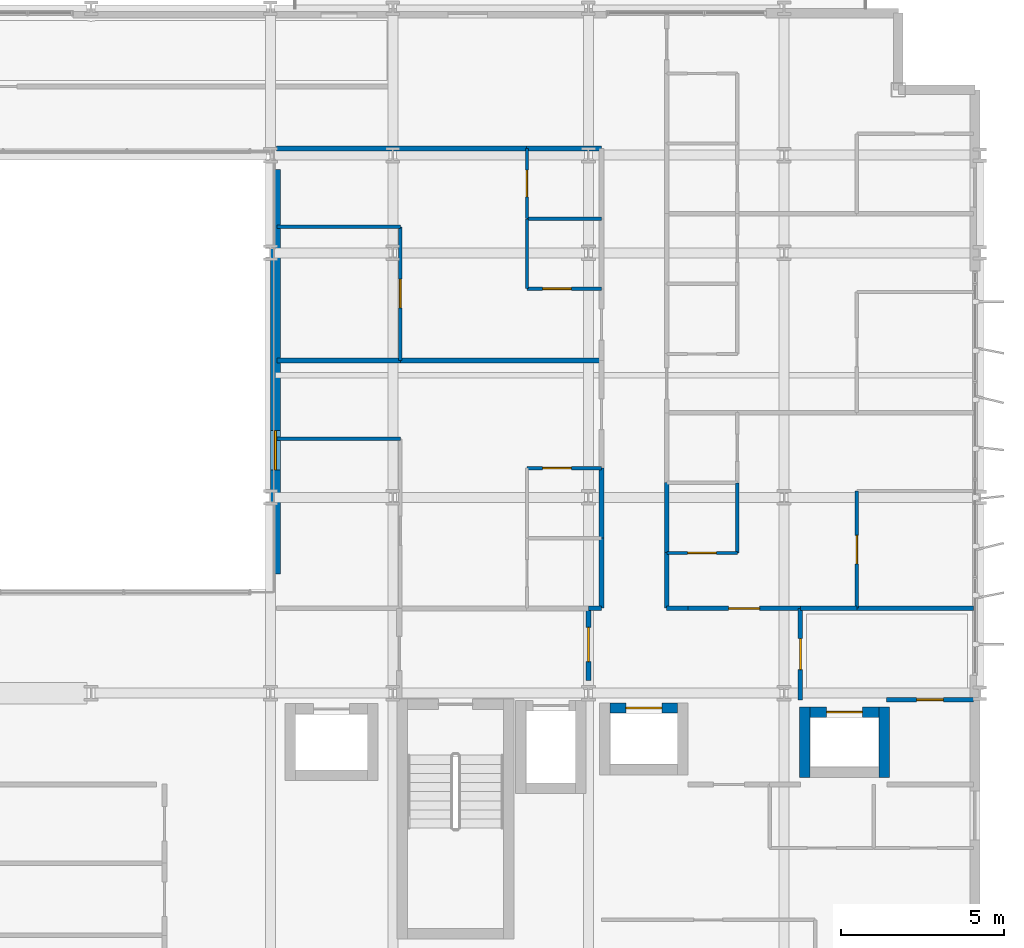
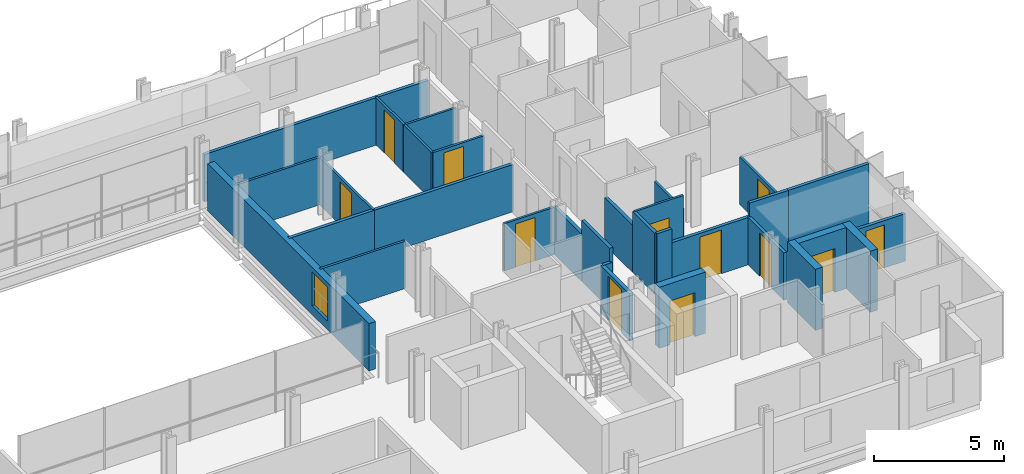
# One storey, part 31 of 39: 32 walls, 12 doors, 1 window, 13 openings.
"""IFC4 building model written with IfcOpenShell, lengths in metres."""

from ifc_helpers import new_model, si_unit, direction, frame, frame_2d, origin, place, context, subcontext, project, spatial, rectangle, extrude, material, layer, layer_set, type_object, element, fill, save


model = new_model("IFC4")

# Units and contexts
model_context = context("Model", 3, precision=1e-05, world=origin(), true_north=direction((0.0, 1.0)))
body_context = subcontext(model_context, "Body", "Model", "MODEL_VIEW")
ifc_project = project(units=[si_unit("LENGTHUNIT", "METRE"), si_unit("AREAUNIT", "SQUARE_METRE"), si_unit("VOLUMEUNIT", "CUBIC_METRE"), si_unit("PLANEANGLEUNIT", "RADIAN"), si_unit("MASSUNIT", "GRAM", prefix="KILO")], contexts=[model_context])

# Site, building, storey
site_placement = place(None, origin())
site = spatial("IfcSite", under=ifc_project, at=site_placement, CompositionType="ELEMENT")
building_placement = place(site_placement, origin())
building = spatial("IfcBuilding", under=site, at=building_placement, Name="Brevholm Reach", CompositionType="ELEMENT")
storey_placement = place(building_placement, frame((0.0, 0.0, 34.199951171875)))
storey = spatial("IfcBuildingStorey", under=building, at=storey_placement, Name="L08", CompositionType="ELEMENT", Elevation=34.199951171875)

# Wall, opening, door
ifc_material_1 = material(Name="Concrete C60/75", Category="concrete")
ifc_layer_1 = layer(ifc_material_1, 0.320068359375)
ifc_layer_set_1 = layer_set([ifc_layer_1], Name="Concrete C60/75")
wall_type_1 = type_object("IfcWallType", Name="WAL-COR-320", PredefinedType="SHEAR", material=ifc_layer_set_1)
wall_1_placement = place(storey_placement, frame((48.6650390625, 9.544921875, 0.0), z_axis=(0.0, 0.0, 1.0), x_axis=(1.0, 0.0, 0.0)))
wall_1 = element("IfcWall", 1, at=wall_1_placement, inside=storey, type_object=wall_type_1, Name="L08 Lift PL-L1 Shaft Wall N", PredefinedType="SHEAR", context=body_context, shape_type="SweptSolid", body=[
    extrude(rectangle(XDim=2.070068359375, YDim=0.320068359375, at=frame_2d((1.03515625, 0.0))), origin(), (0.0, 0.0, 1.0), 2.8701171875),
])
opening_1_placement = place(wall_1_placement, frame((0.485107421875, 0.0, 0.0)))
opening_1 = element("IfcOpeningElement", 2, at=opening_1_placement, cuts=wall_1, Name="Opening LD-PL-L1", PredefinedType="OPENING", context=body_context, shape_type="SweptSolid", body=[
    extrude(rectangle(XDim=1.10009765625, YDim=2.06005859375, at=frame_2d((0.550048828125, 1.030029296875))), frame((0.0, 0.169921875, 0.0), z_axis=(0.0, -1.0, 0.0), x_axis=(1.0, 0.0, 0.0)), (0.0, 0.0, 1.0), 0.340087890625),
])
ifc_material_2 = material(Name="Brushed Stainless Steel Fire-Rated Sliding Lift Door", Category="steel")
door_type_1 = type_object("IfcDoorType", Name="DOR-LFT-1100", OperationType="NOTDEFINED", PredefinedType="DOOR", material=ifc_material_2)
door_1_placement = place(opening_1_placement, origin())
door_1 = element("IfcDoor", 3, at=door_1_placement, inside=storey, type_object=door_type_1, Name="L08 Lift PL-L1 Sliding Landing Door", OperationType="SLIDING_TO_RIGHT", OverallHeight=2.06005859375, OverallWidth=1.10009765625, PredefinedType="DOOR", context=body_context, shape_type="SweptSolid", body=[
    extrude(rectangle(XDim=1.10009765625, YDim=2.06005859375, at=frame_2d((0.550048828125, 1.030029296875))), frame((0.0, 0.02490234375, 0.0), z_axis=(0.0, -1.0, 0.0), x_axis=(1.0, 0.0, 0.0)), (0.0, 0.0, 1.0), 0.050048828125),
])
fill(opening_1, door_1)

# Walls
for number, where, z_axis, x_axis, name in (
    (4, (54.6298828125, 7.419921875, 0.0), (0.0, 0.0, 1.0), (0.0, 1.0, 0.0), "L08 Lift PL-L2 Shaft Wall W"),
    (5, (57.070068359375, 7.419921875, 0.0), (0.0, 0.0, 1.0), (0.0, 1.0, 0.0), "L08 Lift PL-L2 Shaft Wall E"),
):
    element("IfcWall", number, at=place(storey_placement, frame(where, z_axis=z_axis, x_axis=x_axis)), inside=storey, type_object=wall_type_1, Name=name, PredefinedType="SHEAR", context=body_context, shape_type="SweptSolid", body=[
        extrude(rectangle(XDim=2.16015625, YDim=0.320068359375, at=frame_2d((1.080078125, 0.0))), origin(), (0.0, 0.0, 1.0), 2.8701171875),
    ])

# Wall, opening, door
wall_2_placement = place(storey_placement, frame((54.7900390625, 9.419921875, 0.0), z_axis=(0.0, 0.0, 1.0), x_axis=(1.0, 0.0, 0.0)))
wall_2 = element("IfcWall", 6, at=wall_2_placement, inside=storey, type_object=wall_type_1, Name="L08 Lift PL-L2 Shaft Wall N", PredefinedType="SHEAR", context=body_context, shape_type="SweptSolid", body=[
    extrude(rectangle(XDim=2.119873046875, YDim=0.320068359375, at=frame_2d((1.06005859375, 0.0))), origin(), (0.0, 0.0, 1.0), 2.8701171875),
])
opening_2_placement = place(wall_2_placement, frame((0.510009765625, 0.0, 0.0)))
opening_2 = element("IfcOpeningElement", 7, at=opening_2_placement, cuts=wall_2, Name="Opening LD-PL-L2", PredefinedType="OPENING", context=body_context, shape_type="SweptSolid", body=[
    extrude(rectangle(XDim=1.10009765625, YDim=2.06005859375, at=frame_2d((0.550048828125, 1.030029296875))), frame((0.0, 0.169921875, 0.0), z_axis=(0.0, -1.0, 0.0), x_axis=(1.0, 0.0, 0.0)), (0.0, 0.0, 1.0), 0.340087890625),
])
door_2_placement = place(opening_2_placement, origin())
door_2 = element("IfcDoor", 8, at=door_2_placement, inside=storey, type_object=door_type_1, Name="L08 Lift PL-L2 Sliding Landing Door", OperationType="SLIDING_TO_LEFT", OverallHeight=2.06005859375, OverallWidth=1.10009765625, PredefinedType="DOOR", context=body_context, shape_type="SweptSolid", body=[
    extrude(rectangle(XDim=1.10009765625, YDim=2.06005859375, at=frame_2d((0.550048828125, 1.030029296875))), frame((0.0, 0.02490234375, 0.0), z_axis=(0.0, -1.0, 0.0), x_axis=(1.0, 0.0, 0.0)), (0.0, 0.0, 1.0), 0.050048828125),
])
fill(opening_2, door_2)

# Wall, opening, window
ifc_material_3 = material(Name="Concrete C40/50", Category="concrete")
ifc_layer_2 = layer(ifc_material_3, 0.300048828125)
ifc_layer_set_2 = layer_set([ifc_layer_2], Name="Concrete C40/50")
wall_type_2 = type_object("IfcWallType", Name="WAL-EXT-300", PredefinedType="STANDARD", material=ifc_layer_set_2)
wall_3_placement = place(storey_placement, frame((38.39990234375, 13.64990234375, 0.0), z_axis=(0.0, 0.0, 1.0), x_axis=(0.0, 1.0, 0.0)))
wall_3 = element("IfcWall", 9, at=wall_3_placement, inside=storey, type_object=wall_type_2, Name="L08 Facade Wall WAL-L08-AT-E", PredefinedType="STANDARD", context=body_context, shape_type="SweptSolid", body=[
    extrude(rectangle(XDim=12.400146484375, YDim=0.300048828125, at=frame_2d((6.2001953125, 0.0))), origin(), (0.0, 0.0, 1.0), 2.224853515625),
])
opening_3_placement = place(wall_3_placement, frame((3.199951171875, 0.0, 0.405029296875)))
opening_3 = element("IfcOpeningElement", 10, at=opening_3_placement, cuts=wall_3, Name="Opening WN-08", PredefinedType="OPENING", context=body_context, shape_type="SweptSolid", body=[
    extrude(rectangle(XDim=1.199951171875, YDim=1.60009765625, at=frame_2d((0.60009765625, 0.800048828125))), frame((0.0, 0.159912109375, 0.0), z_axis=(0.0, -1.0, 0.0), x_axis=(1.0, 0.0, 0.0)), (0.0, 0.0, 1.0), 0.320068359375),
])
ifc_material_4 = material(Name="Dark Anodised Aluminium and Solar-Control IGU Glass", Category="aluminium")
window_type = type_object("IfcWindowType", Name="WIN-RES-1200", PartitioningType="SINGLE_PANEL", PredefinedType="WINDOW", material=ifc_material_4)
window_placement = place(opening_3_placement, origin())
window = element("IfcWindow", 11, at=window_placement, inside=storey, type_object=window_type, Name="L08 Window WIN-L08-AT-E1", OverallHeight=1.60009765625, OverallWidth=1.199951171875, PartitioningType="SINGLE_PANEL", PredefinedType="WINDOW", context=body_context, shape_type="SweptSolid", body=[
    extrude(rectangle(XDim=1.199951171875, YDim=1.60009765625, at=frame_2d((0.60009765625, 0.800048828125))), frame((0.0, 0.030029296875, 0.0), z_axis=(0.0, -1.0, 0.0), x_axis=(1.0, 0.0, 0.0)), (0.0, 0.0, 1.0), 0.06005859375),
])
fill(opening_3, window)

# Wall, opening, door
ifc_material_5 = material(Name="Moisture-Resistant Acoustic Gypsum Stud Partition 100 mm", Category="gypsum")
ifc_layer_3 = layer(ifc_material_5, 0.10009765625)
ifc_layer_set_3 = layer_set([ifc_layer_3], Name="Moisture-Resistant Acoustic Gypsum Stud Partition 100 mm")
wall_type_3 = type_object("IfcWallType", Name="WAL-PRT-100", PredefinedType="PARTITIONING", material=ifc_layer_set_3)
wall_4_placement = place(storey_placement, frame((46.112060546875, 16.89990234375, 0.0), z_axis=(0.0, 0.0, 1.0), x_axis=(1.0, 0.0, 0.0)))
wall_4 = element("IfcWall", 12, at=wall_4_placement, inside=storey, type_object=wall_type_3, Name="L08 Internal Partition 126", PredefinedType="PARTITIONING", context=body_context, shape_type="SweptSolid", body=[
    extrude(rectangle(XDim=2.283935546875, YDim=0.10009765625, at=frame_2d((1.14208984375, 0.0))), origin(), (0.0, 0.0, 1.0), 2.224853515625),
])
opening_4_placement = place(wall_4_placement, frame((0.48193359375, 0.0, 0.0)))
opening_4 = element("IfcOpeningElement", 13, at=opening_4_placement, cuts=wall_4, Name="Opening ID-01", PredefinedType="OPENING", context=body_context, shape_type="SweptSolid", body=[
    extrude(rectangle(XDim=0.8798828125, YDim=2.0400390625, at=frame_2d((0.43994140625, 1.02001953125))), frame((0.0, 0.06005859375, 0.0), z_axis=(0.0, -1.0, 0.0), x_axis=(1.0, 0.0, 0.0)), (0.0, 0.0, 1.0), 0.1201171875),
])
ifc_material_6 = material(Name="Lacquered Ash Solid-Core Acoustic Internal Door", Category="timber")
door_type_2 = type_object("IfcDoorType", Name="DOR-INT-880", OperationType="NOTDEFINED", PredefinedType="DOOR", material=ifc_material_6)
door_3_placement = place(opening_4_placement, origin())
door_3 = element("IfcDoor", 14, at=door_3_placement, inside=storey, type_object=door_type_2, Name="L08 Internal Door 047", OperationType="SINGLE_SWING_LEFT", OverallHeight=2.0400390625, OverallWidth=0.8798828125, PredefinedType="DOOR", context=body_context, shape_type="SweptSolid", body=[
    extrude(rectangle(XDim=0.8798828125, YDim=2.0400390625, at=frame_2d((0.43994140625, 1.02001953125))), frame((0.0, 0.02490234375, 0.0), z_axis=(0.0, -1.0, 0.0), x_axis=(1.0, 0.0, 0.0)), (0.0, 0.0, 1.0), 0.050048828125),
])
fill(opening_4, door_3)

# Walls
wall_5_placement = place(storey_placement, frame((38.449951171875, 17.800048828125, 0.0), z_axis=(0.0, 0.0, 1.0), x_axis=(1.0, 0.0, 0.0)))
element("IfcWall", 15, at=wall_5_placement, inside=storey, type_object=wall_type_3, Name="L08 Internal Partition 129", PredefinedType="PARTITIONING", context=body_context, shape_type="SweptSolid", body=[
    extrude(rectangle(XDim=3.781005859375, YDim=0.10009765625, at=frame_2d((1.890625, 0.0))), origin(), (0.0, 0.0, 1.0), 2.224853515625),
])
wall_6_placement = place(storey_placement, frame((46.112060546875, 24.550048828125, 0.0), z_axis=(0.0, 0.0, 1.0), x_axis=(1.0, 0.0, 0.0)))
element("IfcWall", 16, at=wall_6_placement, inside=storey, type_object=wall_type_3, Name="L08 Internal Partition 132", PredefinedType="PARTITIONING", context=body_context, shape_type="SweptSolid", body=[
    extrude(rectangle(XDim=2.283935546875, YDim=0.10009765625, at=frame_2d((1.14208984375, 0.0))), origin(), (0.0, 0.0, 1.0), 2.224853515625),
])

# Wall, opening, door
wall_7_placement = place(storey_placement, frame((46.112060546875, 24.550048828125, 0.0), z_axis=(0.0, 0.0, 1.0), x_axis=(0.0, 1.0, 0.0)))
wall_7 = element("IfcWall", 17, at=wall_7_placement, inside=storey, type_object=wall_type_3, Name="L08 Internal Partition 133", PredefinedType="PARTITIONING", context=body_context, shape_type="SweptSolid", body=[
    extrude(rectangle(XDim=2.14599609375, YDim=0.10009765625, at=frame_2d((1.072998046875, 0.0))), origin(), (0.0, 0.0, 1.0), 2.224853515625),
])
opening_5_placement = place(wall_7_placement, frame((0.6630859375, 0.0, 0.0)))
opening_5 = element("IfcOpeningElement", 18, at=opening_5_placement, cuts=wall_7, Name="Opening ID-03", PredefinedType="OPENING", context=body_context, shape_type="SweptSolid", body=[
    extrude(rectangle(XDim=0.820068359375, YDim=2.02001953125, at=frame_2d((0.41015625, 1.010009765625))), frame((0.0, 0.06005859375, 0.0), z_axis=(0.0, -1.0, 0.0), x_axis=(1.0, 0.0, 0.0)), (0.0, 0.0, 1.0), 0.1201171875),
])
ifc_material_7 = material(Name="Moisture-Resistant Painted Timber Internal Bathroom Door", Category="wood")
door_type_3 = type_object("IfcDoorType", Name="DOR-BATH-820", OperationType="NOTDEFINED", PredefinedType="DOOR", material=ifc_material_7)
door_4_placement = place(opening_5_placement, origin())
door_4 = element("IfcDoor", 19, at=door_4_placement, inside=storey, type_object=door_type_3, Name="L08 Internal Door 049", OperationType="SINGLE_SWING_LEFT", OverallHeight=2.02001953125, OverallWidth=0.820068359375, PredefinedType="DOOR", context=body_context, shape_type="SweptSolid", body=[
    extrude(rectangle(XDim=0.820068359375, YDim=2.02001953125, at=frame_2d((0.41015625, 1.010009765625))), frame((0.0, 0.02490234375, 0.0), z_axis=(0.0, -1.0, 0.0), x_axis=(1.0, 0.0, 0.0)), (0.0, 0.0, 1.0), 0.050048828125),
])
fill(opening_5, door_4)

wall_8_placement = place(storey_placement, frame((46.112060546875, 22.39990234375, 0.0), z_axis=(0.0, 0.0, 1.0), x_axis=(1.0, 0.0, 0.0)))
wall_8 = element("IfcWall", 20, at=wall_8_placement, inside=storey, type_object=wall_type_3, Name="L08 Internal Partition 134", PredefinedType="PARTITIONING", context=body_context, shape_type="SweptSolid", body=[
    extrude(rectangle(XDim=2.283935546875, YDim=0.10009765625, at=frame_2d((1.14208984375, 0.0))), origin(), (0.0, 0.0, 1.0), 2.224853515625),
])
opening_6_placement = place(wall_8_placement, frame((0.48193359375, 0.0, 0.0)))
opening_6 = element("IfcOpeningElement", 21, at=opening_6_placement, cuts=wall_8, Name="Opening ID-01", PredefinedType="OPENING", context=body_context, shape_type="SweptSolid", body=[
    extrude(rectangle(XDim=0.8798828125, YDim=2.0400390625, at=frame_2d((0.43994140625, 1.02001953125))), frame((0.0, 0.06005859375, 0.0), z_axis=(0.0, -1.0, 0.0), x_axis=(1.0, 0.0, 0.0)), (0.0, 0.0, 1.0), 0.1201171875),
])
door_5_placement = place(opening_6_placement, origin())
door_5 = element("IfcDoor", 22, at=door_5_placement, inside=storey, type_object=door_type_2, Name="L08 Internal Door 050", OperationType="SINGLE_SWING_RIGHT", OverallHeight=2.0400390625, OverallWidth=0.8798828125, PredefinedType="DOOR", context=body_context, shape_type="SweptSolid", body=[
    extrude(rectangle(XDim=0.8798828125, YDim=2.0400390625, at=frame_2d((0.43994140625, 1.02001953125))), frame((0.0, 0.02490234375, 0.0), z_axis=(0.0, -1.0, 0.0), x_axis=(1.0, 0.0, 0.0)), (0.0, 0.0, 1.0), 0.050048828125),
])
fill(opening_6, door_5)

# Wall
wall_9_placement = place(storey_placement, frame((46.112060546875, 22.39990234375, 0.0), z_axis=(0.0, 0.0, 1.0), x_axis=(0.0, 1.0, 0.0)))
element("IfcWall", 23, at=wall_9_placement, inside=storey, type_object=wall_type_3, Name="L08 Internal Partition 135", PredefinedType="PARTITIONING", context=body_context, shape_type="SweptSolid", body=[
    extrude(rectangle(XDim=2.14599609375, YDim=0.10009765625, at=frame_2d((1.072998046875, 0.0))), origin(), (0.0, 0.0, 1.0), 2.224853515625),
])

# Wall, opening, door
wall_10_placement = place(storey_placement, frame((42.23095703125, 20.2041015625, 0.0), z_axis=(0.0, 0.0, 1.0), x_axis=(0.0, 1.0, 0.0)))
wall_10 = element("IfcWall", 24, at=wall_10_placement, inside=storey, type_object=wall_type_3, Name="L08 Internal Partition 136", PredefinedType="PARTITIONING", context=body_context, shape_type="SweptSolid", body=[
    extrude(rectangle(XDim=4.095947265625, YDim=0.10009765625, at=frame_2d((2.0478515625, 0.0))), origin(), (0.0, 0.0, 1.0), 2.224853515625),
])
opening_7_placement = place(wall_10_placement, frame((1.60791015625, 0.0, 0.0)))
opening_7 = element("IfcOpeningElement", 25, at=opening_7_placement, cuts=wall_10, Name="Opening ID-01", PredefinedType="OPENING", context=body_context, shape_type="SweptSolid", body=[
    extrude(rectangle(XDim=0.8798828125, YDim=2.0400390625, at=frame_2d((0.43994140625, 1.02001953125))), frame((0.0, 0.06005859375, 0.0), z_axis=(0.0, -1.0, 0.0), x_axis=(1.0, 0.0, 0.0)), (0.0, 0.0, 1.0), 0.1201171875),
])
door_6_placement = place(opening_7_placement, origin())
door_6 = element("IfcDoor", 26, at=door_6_placement, inside=storey, type_object=door_type_2, Name="L08 Internal Door 051", OperationType="SINGLE_SWING_LEFT", OverallHeight=2.0400390625, OverallWidth=0.8798828125, PredefinedType="DOOR", context=body_context, shape_type="SweptSolid", body=[
    extrude(rectangle(XDim=0.8798828125, YDim=2.0400390625, at=frame_2d((0.43994140625, 1.02001953125))), frame((0.0, 0.02490234375, 0.0), z_axis=(0.0, -1.0, 0.0), x_axis=(1.0, 0.0, 0.0)), (0.0, 0.0, 1.0), 0.050048828125),
])
fill(opening_7, door_6)

# Wall
wall_11_placement = place(storey_placement, frame((38.449951171875, 24.300048828125, 0.0), z_axis=(0.0, 0.0, 1.0), x_axis=(1.0, 0.0, 0.0)))
element("IfcWall", 27, at=wall_11_placement, inside=storey, type_object=wall_type_3, Name="L08 Internal Partition 137", PredefinedType="PARTITIONING", context=body_context, shape_type="SweptSolid", body=[
    extrude(rectangle(XDim=3.781005859375, YDim=0.10009765625, at=frame_2d((1.890625, 0.0))), origin(), (0.0, 0.0, 1.0), 2.224853515625),
])

# Wall, opening, door
wall_12_placement = place(storey_placement, frame((50.404052734375, 14.300048828125, 0.0), z_axis=(0.0, 0.0, 1.0), x_axis=(1.0, 0.0, 0.0)))
wall_12 = element("IfcWall", 28, at=wall_12_placement, inside=storey, type_object=wall_type_3, Name="L08 Internal Partition 141", PredefinedType="PARTITIONING", context=body_context, shape_type="SweptSolid", body=[
    extrude(rectangle(XDim=2.157958984375, YDim=0.10009765625, at=frame_2d((1.0791015625, 0.0))), origin(), (0.0, 0.0, 1.0), 2.8701171875),
])
opening_8_placement = place(wall_12_placement, frame((0.638916015625, 0.0, 0.0)))
opening_8 = element("IfcOpeningElement", 29, at=opening_8_placement, cuts=wall_12, Name="Opening ID-01", PredefinedType="OPENING", context=body_context, shape_type="SweptSolid", body=[
    extrude(rectangle(XDim=0.8798828125, YDim=2.0400390625, at=frame_2d((0.43994140625, 1.02001953125))), frame((0.0, 0.06005859375, 0.0), z_axis=(0.0, -1.0, 0.0), x_axis=(1.0, 0.0, 0.0)), (0.0, 0.0, 1.0), 0.1201171875),
])
door_7_placement = place(opening_8_placement, origin())
door_7 = element("IfcDoor", 30, at=door_7_placement, inside=storey, type_object=door_type_2, Name="L08 Internal Door 053", OperationType="SINGLE_SWING_LEFT", OverallHeight=2.0400390625, OverallWidth=0.8798828125, PredefinedType="DOOR", context=body_context, shape_type="SweptSolid", body=[
    extrude(rectangle(XDim=0.8798828125, YDim=2.0400390625, at=frame_2d((0.43994140625, 1.02001953125))), frame((0.0, 0.02490234375, 0.0), z_axis=(0.0, -1.0, 0.0), x_axis=(1.0, 0.0, 0.0)), (0.0, 0.0, 1.0), 0.050048828125),
])
fill(opening_8, door_7)

# Wall
wall_13_placement = place(storey_placement, frame((52.56201171875, 14.300048828125, 0.0), z_axis=(0.0, 0.0, 1.0), x_axis=(0.0, 1.0, 0.0)))
element("IfcWall", 31, at=wall_13_placement, inside=storey, type_object=wall_type_3, Name="L08 Internal Partition 142", PredefinedType="PARTITIONING", context=body_context, shape_type="SweptSolid", body=[
    extrude(rectangle(XDim=2.14599609375, YDim=0.10009765625, at=frame_2d((1.072998046875, 0.0))), origin(), (0.0, 0.0, 1.0), 2.224853515625),
])

# Wall, opening, door
wall_14_placement = place(storey_placement, frame((56.22802734375, 12.60400390625, 0.0), z_axis=(0.0, 0.0, 1.0), x_axis=(0.0, 1.0, 0.0)))
wall_14 = element("IfcWall", 32, at=wall_14_placement, inside=storey, type_object=wall_type_3, Name="L08 Internal Partition 144", PredefinedType="PARTITIONING", context=body_context, shape_type="SweptSolid", body=[
    extrude(rectangle(XDim=3.595947265625, YDim=0.10009765625, at=frame_2d((1.7978515625, 0.0))), origin(), (0.0, 0.0, 1.0), 2.224853515625),
])
opening_9_placement = place(wall_14_placement, frame((1.35791015625, 0.0, 0.0)))
opening_9 = element("IfcOpeningElement", 33, at=opening_9_placement, cuts=wall_14, Name="Opening ID-01", PredefinedType="OPENING", context=body_context, shape_type="SweptSolid", body=[
    extrude(rectangle(XDim=0.8798828125, YDim=2.0400390625, at=frame_2d((0.43994140625, 1.02001953125))), frame((0.0, 0.06005859375, 0.0), z_axis=(0.0, -1.0, 0.0), x_axis=(1.0, 0.0, 0.0)), (0.0, 0.0, 1.0), 0.1201171875),
])
door_8_placement = place(opening_9_placement, origin())
door_8 = element("IfcDoor", 34, at=door_8_placement, inside=storey, type_object=door_type_2, Name="L08 Internal Door 054", OperationType="SINGLE_SWING_RIGHT", OverallHeight=2.0400390625, OverallWidth=0.8798828125, PredefinedType="DOOR", context=body_context, shape_type="SweptSolid", body=[
    extrude(rectangle(XDim=0.8798828125, YDim=2.0400390625, at=frame_2d((0.43994140625, 1.02001953125))), frame((0.0, 0.02490234375, 0.0), z_axis=(0.0, -1.0, 0.0), x_axis=(1.0, 0.0, 0.0)), (0.0, 0.0, 1.0), 0.050048828125),
])
fill(opening_9, door_8)

ifc_material_8 = material(Name="Twin-Stud Acoustic Fire-Rated Gypsum Partition 140 mm", Category="gypsum")
ifc_layer_4 = layer(ifc_material_8, 0.139892578125)
ifc_layer_set_4 = layer_set([ifc_layer_4], Name="Twin-Stud Acoustic Fire-Rated Gypsum Partition 140 mm")
wall_type_4 = type_object("IfcWallType", Name="WAL-PRT-140", PredefinedType="PARTITIONING", material=ifc_layer_set_4)
wall_15_placement = place(storey_placement, frame((54.5, 9.788818359375, 0.0), z_axis=(0.0, 0.0, 1.0), x_axis=(0.0, 1.0, 0.0)))
wall_15 = element("IfcWall", 35, at=wall_15_placement, inside=storey, type_object=wall_type_4, Name="L08 Internal Partition 008", PredefinedType="PARTITIONING", context=body_context, shape_type="SweptSolid", body=[
    extrude(rectangle(XDim=2.811279296875, YDim=0.139892578125, at=frame_2d((1.40576171875, 0.0))), origin(), (0.0, 0.0, 1.0), 2.224853515625),
])
opening_10_placement = place(wall_15_placement, frame((0.9306640625, 0.0, 0.0)))
opening_10 = element("IfcOpeningElement", 36, at=opening_10_placement, cuts=wall_15, Name="Opening ID-30", PredefinedType="OPENING", context=body_context, shape_type="SweptSolid", body=[
    extrude(rectangle(XDim=0.949951171875, YDim=2.050048828125, at=frame_2d((0.47509765625, 1.02490234375))), frame((0.0, 0.079833984375, 0.0), z_axis=(0.0, -1.0, 0.0), x_axis=(1.0, 0.0, 0.0)), (0.0, 0.0, 1.0), 0.159912109375),
])
ifc_material_9 = material(Name="European Oak Veneered Solid-Core Fire Entrance Door", Category="timber")
door_type_4 = type_object("IfcDoorType", Name="DOR-FLT-FD30S", OperationType="NOTDEFINED", PredefinedType="DOOR", material=ifc_material_9)
door_9_placement = place(opening_10_placement, origin())
door_9 = element("IfcDoor", 37, at=door_9_placement, inside=storey, type_object=door_type_4, Name="L08 Internal Door 006", OperationType="SINGLE_SWING_RIGHT", OverallHeight=2.050048828125, OverallWidth=0.949951171875, PredefinedType="DOOR", context=body_context, shape_type="SweptSolid", body=[
    extrude(rectangle(XDim=0.949951171875, YDim=2.050048828125, at=frame_2d((0.47509765625, 1.02490234375))), frame((0.0, 0.02490234375, 0.0), z_axis=(0.0, -1.0, 0.0), x_axis=(1.0, 0.0, 0.0)), (0.0, 0.0, 1.0), 0.050048828125),
])
fill(opening_10, door_9)

wall_16_placement = place(storey_placement, frame((51.050048828125, 12.60009765625, 0.0), z_axis=(0.0, 0.0, 1.0), x_axis=(1.0, 0.0, 0.0)))
wall_16 = element("IfcWall", 38, at=wall_16_placement, inside=storey, type_object=wall_type_4, Name="L08 Internal Partition 011", PredefinedType="PARTITIONING", context=body_context, shape_type="SweptSolid", body=[
    extrude(rectangle(XDim=3.449951171875, YDim=0.139892578125, at=frame_2d((1.72509765625, 0.0))), origin(), (0.0, 0.0, 1.0), 2.224853515625),
])
opening_11_placement = place(wall_16_placement, frame((1.25, 0.0, 0.0)))
opening_11 = element("IfcOpeningElement", 39, at=opening_11_placement, cuts=wall_16, Name="Opening ID-30", PredefinedType="OPENING", context=body_context, shape_type="SweptSolid", body=[
    extrude(rectangle(XDim=0.949951171875, YDim=2.050048828125, at=frame_2d((0.47509765625, 1.02490234375))), frame((0.0, 0.079833984375, 0.0), z_axis=(0.0, -1.0, 0.0), x_axis=(1.0, 0.0, 0.0)), (0.0, 0.0, 1.0), 0.159912109375),
])
door_10_placement = place(opening_11_placement, origin())
door_10 = element("IfcDoor", 40, at=door_10_placement, inside=storey, type_object=door_type_4, Name="L08 Internal Door 008", OperationType="SINGLE_SWING_RIGHT", OverallHeight=2.050048828125, OverallWidth=0.949951171875, PredefinedType="DOOR", context=body_context, shape_type="SweptSolid", body=[
    extrude(rectangle(XDim=0.949951171875, YDim=2.050048828125, at=frame_2d((0.47509765625, 1.02490234375))), frame((0.0, 0.02490234375, 0.0), z_axis=(0.0, -1.0, 0.0), x_axis=(1.0, 0.0, 0.0)), (0.0, 0.0, 1.0), 0.050048828125),
])
fill(opening_11, door_10)

# Walls
wall_17_placement = place(storey_placement, frame((48.00390625, 12.60009765625, 0.0), z_axis=(0.0, 0.0, 1.0), x_axis=(1.0, 0.0, 0.0)))
element("IfcWall", 41, at=wall_17_placement, inside=storey, type_object=wall_type_4, Name="L08 Internal Partition 028", PredefinedType="PARTITIONING", context=body_context, shape_type="SweptSolid", body=[
    extrude(rectangle(XDim=0.4033203125, YDim=0.139892578125, at=frame_2d((0.20166015625, 0.0))), origin(), (0.0, 0.0, 1.0), 2.224853515625),
])
wall_18_placement = place(storey_placement, frame((50.392578125, 12.60009765625, 0.0), z_axis=(0.0, 0.0, 1.0), x_axis=(1.0, 0.0, 0.0)))
element("IfcWall", 42, at=wall_18_placement, inside=storey, type_object=wall_type_4, Name="L08 Internal Partition 029", PredefinedType="PARTITIONING", context=body_context, shape_type="SweptSolid", body=[
    extrude(rectangle(XDim=0.6533203125, YDim=0.139892578125, at=frame_2d((0.32666015625, 0.0))), origin(), (0.0, 0.0, 1.0), 2.8701171875),
])
wall_19_placement = place(storey_placement, frame((48.39990234375, 12.60400390625, 0.0), z_axis=(0.0, 0.0, 1.0), x_axis=(0.0, 1.0, 0.0)))
element("IfcWall", 43, at=wall_19_placement, inside=storey, type_object=wall_type_4, Name="L08 Internal Partition 045", PredefinedType="PARTITIONING", context=body_context, shape_type="SweptSolid", body=[
    extrude(rectangle(XDim=2.1572265625, YDim=0.139892578125, at=frame_2d((1.07861328125, 0.0))), origin(), (0.0, 0.0, 1.0), 2.8701171875),
])
wall_20_placement = place(storey_placement, frame((48.39990234375, 14.74267578125, 0.0), z_axis=(0.0, 0.0, 1.0), x_axis=(0.0, 1.0, 0.0)))
element("IfcWall", 44, at=wall_20_placement, inside=storey, type_object=wall_type_4, Name="L08 Internal Partition 046", PredefinedType="PARTITIONING", context=body_context, shape_type="SweptSolid", body=[
    extrude(rectangle(XDim=2.168701171875, YDim=0.139892578125, at=frame_2d((1.08447265625, 0.0))), origin(), (0.0, 0.0, 1.0), 2.224853515625),
])
wall_21_placement = place(storey_placement, frame((50.39990234375, 14.288818359375, 0.0), z_axis=(0.0, 0.0, 1.0), x_axis=(0.0, 1.0, 0.0)))
element("IfcWall", 45, at=wall_21_placement, inside=storey, type_object=wall_type_4, Name="L08 Internal Partition 052", PredefinedType="PARTITIONING", context=body_context, shape_type="SweptSolid", body=[
    extrude(rectangle(XDim=2.16845703125, YDim=0.139892578125, at=frame_2d((1.084228515625, 0.0))), origin(), (0.0, 0.0, 1.0), 2.224853515625),
])
wall_22_placement = place(storey_placement, frame((50.39990234375, 12.60400390625, 0.0), z_axis=(0.0, 0.0, 1.0), x_axis=(0.0, 1.0, 0.0)))
element("IfcWall", 46, at=wall_22_placement, inside=storey, type_object=wall_type_4, Name="L08 Internal Partition 053", PredefinedType="PARTITIONING", context=body_context, shape_type="SweptSolid", body=[
    extrude(rectangle(XDim=1.703369140625, YDim=0.139892578125, at=frame_2d((0.8515625, 0.0))), origin(), (0.0, 0.0, 1.0), 2.8701171875),
])
wall_23_placement = place(storey_placement, frame((46.1005859375, 26.699951171875, 0.0), z_axis=(0.0, 0.0, 1.0), x_axis=(1.0, 0.0, 0.0)))
element("IfcWall", 47, at=wall_23_placement, inside=storey, type_object=wall_type_4, Name="L08 Internal Partition 062", PredefinedType="PARTITIONING", context=body_context, shape_type="SweptSolid", body=[
    extrude(rectangle(XDim=2.29541015625, YDim=0.139892578125, at=frame_2d((1.147705078125, 0.0))), origin(), (0.0, 0.0, 1.0), 2.224853515625),
])
wall_24_placement = place(storey_placement, frame((38.438720703125, 26.699951171875, 0.0), z_axis=(0.0, 0.0, 1.0), x_axis=(1.0, 0.0, 0.0)))
element("IfcWall", 48, at=wall_24_placement, inside=storey, type_object=wall_type_4, Name="L08 Internal Partition 063", PredefinedType="PARTITIONING", context=body_context, shape_type="SweptSolid", body=[
    extrude(rectangle(XDim=7.6806640625, YDim=0.139892578125, at=frame_2d((3.84033203125, 0.0))), origin(), (0.0, 0.0, 1.0), 2.224853515625),
])

# Wall, opening, door
wall_25_placement = place(storey_placement, frame((57.138671875, 9.800048828125, 0.0), z_axis=(0.0, 0.0, 1.0), x_axis=(1.0, 0.0, 0.0)))
wall_25 = element("IfcWall", 49, at=wall_25_placement, inside=storey, type_object=wall_type_4, Name="L08 Internal Partition 076", PredefinedType="PARTITIONING", context=body_context, shape_type="SweptSolid", body=[
    extrude(rectangle(XDim=2.661376953125, YDim=0.139892578125, at=frame_2d((1.33056640625, 0.0))), origin(), (0.0, 0.0, 1.0), 2.224853515625),
])
opening_12_placement = place(wall_25_placement, frame((0.920654296875, 0.0, 0.0)))
opening_12 = element("IfcOpeningElement", 50, at=opening_12_placement, cuts=wall_25, Name="Opening ID-02", PredefinedType="OPENING", context=body_context, shape_type="SweptSolid", body=[
    extrude(rectangle(XDim=0.820068359375, YDim=2.02001953125, at=frame_2d((0.41015625, 1.010009765625))), frame((0.0, 0.079833984375, 0.0), z_axis=(0.0, -1.0, 0.0), x_axis=(1.0, 0.0, 0.0)), (0.0, 0.0, 1.0), 0.159912109375),
])
ifc_material_10 = material(Name="Moisture-Resistant Painted Timber Fire-Rated Riser and Service Door", Category="wood")
door_type_5 = type_object("IfcDoorType", Name="DOR-SRV-820", OperationType="NOTDEFINED", PredefinedType="DOOR", material=ifc_material_10)
door_11_placement = place(opening_12_placement, origin())
door_11 = element("IfcDoor", 51, at=door_11_placement, inside=storey, type_object=door_type_5, Name="L08 Access Door 061", OperationType="SINGLE_SWING_LEFT", OverallHeight=2.02001953125, OverallWidth=0.820068359375, PredefinedType="DOOR", context=body_context, shape_type="SweptSolid", body=[
    extrude(rectangle(XDim=0.820068359375, YDim=2.02001953125, at=frame_2d((0.41015625, 1.010009765625))), frame((0.0, 0.02490234375, 0.0), z_axis=(0.0, -1.0, 0.0), x_axis=(1.0, 0.0, 0.0)), (0.0, 0.0, 1.0), 0.050048828125),
])
fill(opening_12, door_11)

# Walls
wall_26_placement = place(storey_placement, frame((56.216796875, 12.60009765625, 0.0), z_axis=(0.0, 0.0, 1.0), x_axis=(1.0, 0.0, 0.0)))
element("IfcWall", 52, at=wall_26_placement, inside=storey, type_object=wall_type_4, Name="L08 Internal Partition 077", PredefinedType="PARTITIONING", context=body_context, shape_type="SweptSolid", body=[
    extrude(rectangle(XDim=3.583251953125, YDim=0.139892578125, at=frame_2d((1.79150390625, 0.0))), origin(), (0.0, 0.0, 1.0), 2.8701171875),
])
wall_27_placement = place(storey_placement, frame((54.50390625, 12.60009765625, 0.0), z_axis=(0.0, 0.0, 1.0), x_axis=(1.0, 0.0, 0.0)))
element("IfcWall", 53, at=wall_27_placement, inside=storey, type_object=wall_type_4, Name="L08 Internal Partition 078", PredefinedType="PARTITIONING", context=body_context, shape_type="SweptSolid", body=[
    extrude(rectangle(XDim=1.7314453125, YDim=0.139892578125, at=frame_2d((0.86572265625, 0.0))), origin(), (0.0, 0.0, 1.0), 2.8701171875),
])
wall_28_placement = place(storey_placement, frame((38.449951171875, 20.199951171875, 0.0), z_axis=(0.0, 0.0, 1.0), x_axis=(1.0, 0.0, 0.0)))
element("IfcWall", 54, at=wall_28_placement, inside=storey, type_object=wall_type_4, Name="L08 Internal Partition 130", PredefinedType="PARTITIONING", context=body_context, shape_type="SweptSolid", body=[
    extrude(rectangle(XDim=3.792236328125, YDim=0.139892578125, at=frame_2d((1.89599609375, 0.0))), origin(), (0.0, 0.0, 1.0), 2.224853515625),
])
wall_29_placement = place(storey_placement, frame((42.2236328125, 20.199951171875, 0.0), z_axis=(0.0, 0.0, 1.0), x_axis=(1.0, 0.0, 0.0)))
element("IfcWall", 55, at=wall_29_placement, inside=storey, type_object=wall_type_4, Name="L08 Internal Partition 131", PredefinedType="PARTITIONING", context=body_context, shape_type="SweptSolid", body=[
    extrude(rectangle(XDim=6.17236328125, YDim=0.139892578125, at=frame_2d((3.086181640625, 0.0))), origin(), (0.0, 0.0, 1.0), 2.224853515625),
])

# Wall, opening, door
ifc_material_11 = material(Name="Twin-Frame Fire-Rated Gypsum Board and Mineral Wool 160 mm", Category="gypsum")
ifc_layer_5 = layer(ifc_material_11, 0.159912109375)
ifc_layer_set_5 = layer_set([ifc_layer_5], Name="Twin-Frame Fire-Rated Gypsum Board and Mineral Wool 160 mm")
wall_type_5 = type_object("IfcWallType", Name="WAL-PRT-160", PredefinedType="PARTITIONING", material=ifc_layer_set_5)
wall_30_placement = place(storey_placement, frame((48.0, 10.388671875, 0.0), z_axis=(0.0, 0.0, 1.0), x_axis=(0.0, 1.0, 0.0)))
wall_30 = element("IfcWall", 56, at=wall_30_placement, inside=storey, type_object=wall_type_5, Name="L08 Internal Partition 019", PredefinedType="PARTITIONING", context=body_context, shape_type="SweptSolid", body=[
    extrude(rectangle(XDim=2.21142578125, YDim=0.159912109375, at=frame_2d((1.105712890625, 0.0))), origin(), (0.0, 0.0, 1.0), 2.224853515625),
])
opening_13_placement = place(wall_30_placement, frame((0.58056640625, 0.0, 0.0)))
opening_13 = element("IfcOpeningElement", 57, at=opening_13_placement, cuts=wall_30, Name="Opening FD-01", PredefinedType="OPENING", context=body_context, shape_type="SweptSolid", body=[
    extrude(rectangle(XDim=1.050048828125, YDim=2.06005859375, at=frame_2d((0.52490234375, 1.030029296875))), frame((0.0, 0.08984375, 0.0), z_axis=(0.0, -1.0, 0.0), x_axis=(1.0, 0.0, 0.0)), (0.0, 0.0, 1.0), 0.179931640625),
])
ifc_material_12 = material(Name="Hardwood-Lipped Steel-Core Fire and Smoke Door", Category="steel")
door_type_6 = type_object("IfcDoorType", Name="DOR-INT-FD60S", OperationType="NOTDEFINED", PredefinedType="DOOR", material=ifc_material_12)
door_12_placement = place(opening_13_placement, origin())
door_12 = element("IfcDoor", 58, at=door_12_placement, inside=storey, type_object=door_type_6, Name="L08 Internal Door 012", OperationType="SINGLE_SWING_RIGHT", OverallHeight=2.06005859375, OverallWidth=1.050048828125, PredefinedType="DOOR", context=body_context, shape_type="SweptSolid", body=[
    extrude(rectangle(XDim=1.050048828125, YDim=2.06005859375, at=frame_2d((0.52490234375, 1.030029296875))), frame((0.0, 0.02490234375, 0.0), z_axis=(0.0, -1.0, 0.0), x_axis=(1.0, 0.0, 0.0)), (0.0, 0.0, 1.0), 0.050048828125),
])
fill(opening_13, door_12)

save(model, "model.ifc")
